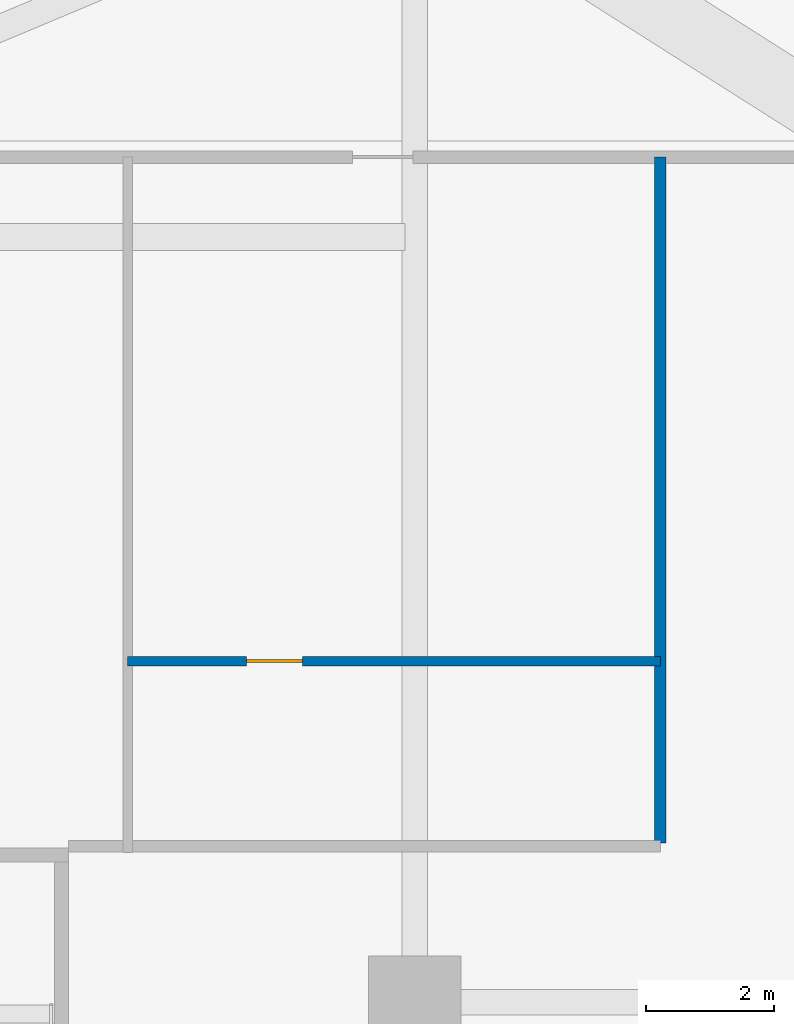
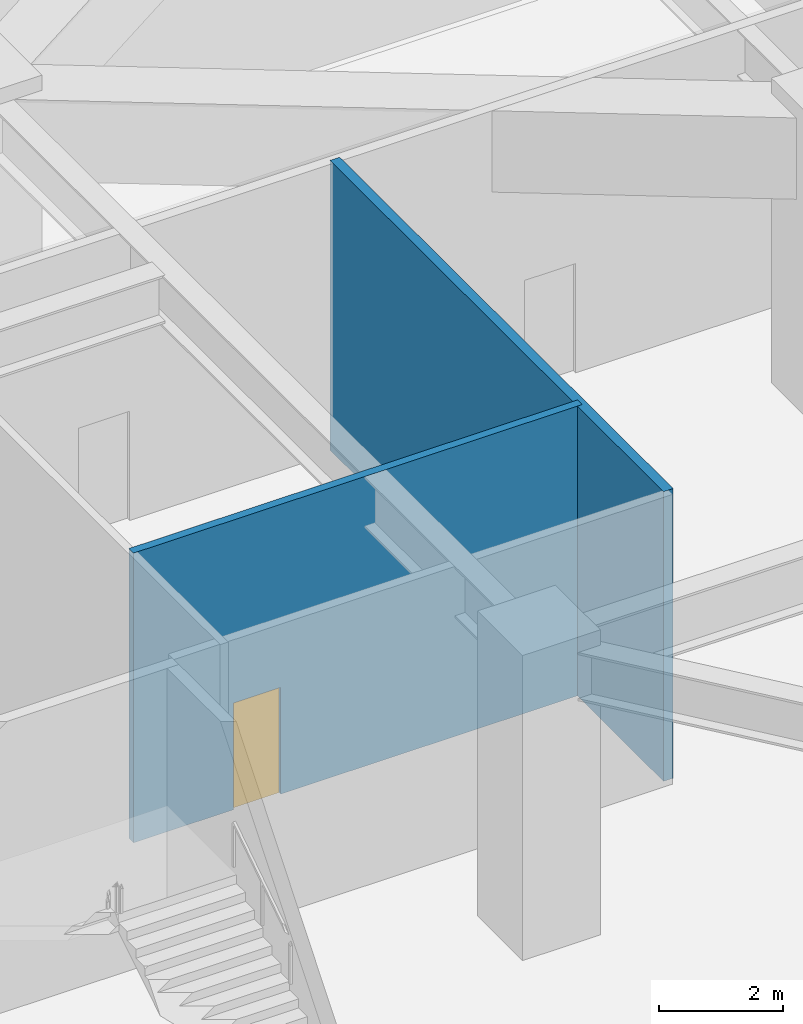
# One storey, part 9 of 24: 2 walls, 1 door, 1 opening.
"""IFC4 building model written with IfcOpenShell, lengths in metres."""

from ifc_helpers import new_model, si_unit, direction, frame, frame_2d, origin, place, context, subcontext, project, spatial, rectangle, extrude, material, layer, layer_set, type_object, element, fill, save


model = new_model("IFC4")

# Units and contexts
model_context = context("Model", 3, precision=1e-05, world=origin(), true_north=direction((0.0, 1.0)))
body_context = subcontext(model_context, "Body", "Model", "MODEL_VIEW")
ifc_project = project(units=[si_unit("LENGTHUNIT", "METRE"), si_unit("AREAUNIT", "SQUARE_METRE"), si_unit("VOLUMEUNIT", "CUBIC_METRE"), si_unit("PLANEANGLEUNIT", "RADIAN"), si_unit("MASSUNIT", "GRAM", prefix="KILO")], contexts=[model_context])

# Site, building, storey
site_placement = place(None, origin())
site = spatial("IfcSite", under=ifc_project, at=site_placement, CompositionType="ELEMENT")
building_placement = place(site_placement, origin())
building = spatial("IfcBuilding", under=site, at=building_placement, Name="Apsidion Concourse Tower", CompositionType="ELEMENT")
storey_placement = place(building_placement, origin())
storey = spatial("IfcBuildingStorey", under=building, at=storey_placement, Name="L00", CompositionType="ELEMENT", Elevation=0.0)

# Wall, opening, door
ifc_material_1 = material(Name="Gypsum plasterboard partition")
ifc_layer_1 = layer(ifc_material_1, 0.14990234375)
ifc_layer_set_1 = layer_set([ifc_layer_1], Name="Gypsum plasterboard partition")
wall_type_1 = type_object("IfcWallType", Name="WL-INT-PAR-150", PredefinedType="PARTITIONING", material=ifc_layer_set_1)
wall_1_placement = place(storey_placement, frame((-28.5, -12.64990234375, 0.0), z_axis=(0.0, 0.0, 1.0), x_axis=(1.0, 0.0, 0.0)))
wall_1 = element("IfcWall", 1, at=wall_1_placement, inside=storey, type_object=wall_type_1, Name="L00 Interior Partition WL-L00-WC-S", PredefinedType="PARTITIONING", context=body_context, shape_type="SweptSolid", body=[
    extrude(rectangle(XDim=8.35009765625, YDim=0.14990234375, at=frame_2d((4.175048828125, 0.0))), origin(), (0.0, 0.0, 1.0), 5.699951171875),
])
opening_placement = place(wall_1_placement, frame((1.859619140625, 0.0, 0.0)))
opening = element("IfcOpeningElement", 2, at=opening_placement, cuts=wall_1, Name="Opening D-03L", PredefinedType="OPENING", context=body_context, shape_type="SweptSolid", body=[
    extrude(rectangle(XDim=0.8798828125, YDim=2.10009765625, at=frame_2d((0.43994140625, 1.050048828125))), frame((0.0, 0.0849609375, 0.0), z_axis=(0.0, -1.0, 0.0), x_axis=(1.0, 0.0, 0.0)), (0.0, 0.0, 1.0), 0.169921875),
])
ifc_material_2 = material(Name="Anodised aluminium EN AW-6063 T6", Category="aluminium")
door_type = type_object("IfcDoorType", Name="DR-INT-D03L", OperationType="SINGLE_SWING_LEFT", PredefinedType="DOOR", material=ifc_material_2)
door_placement = place(opening_placement, origin())
door = element("IfcDoor", 3, at=door_placement, inside=storey, type_object=door_type, Name="Accessible WC Door", OperationType="SINGLE_SWING_LEFT", OverallHeight=2.10009765625, OverallWidth=0.8798828125, PredefinedType="DOOR", context=body_context, shape_type="SweptSolid", body=[
    extrude(rectangle(XDim=0.8798828125, YDim=2.10009765625, at=frame_2d((0.43994140625, 1.050048828125))), frame((0.0, 0.02490234375, 0.0), z_axis=(0.0, -1.0, 0.0), x_axis=(1.0, 0.0, 0.0)), (0.0, 0.0, 1.0), 0.050048828125),
])
fill(opening, door)

# Wall
ifc_layer_2 = layer(ifc_material_1, 0.179931640625)
ifc_layer_set_2 = layer_set([ifc_layer_2], Name="Gypsum plasterboard partition")
wall_type_2 = type_object("IfcWallType", Name="WL-INT-PAR-180", PredefinedType="PARTITIONING", material=ifc_layer_set_2)
wall_2_placement = place(storey_placement, frame((-20.14990234375, -15.5, 0.0), z_axis=(0.0, 0.0, 1.0), x_axis=(0.0, 1.0, 0.0)))
element("IfcWall", 4, at=wall_2_placement, inside=storey, type_object=wall_type_2, Name="L00 Interior Partition WL-L00-FCC-W", PredefinedType="PARTITIONING", context=body_context, shape_type="SweptSolid", body=[
    extrude(rectangle(XDim=10.75, YDim=0.179931640625, at=frame_2d((5.375, 0.0))), origin(), (0.0, 0.0, 1.0), 5.699951171875),
])

save(model, "model.ifc")
